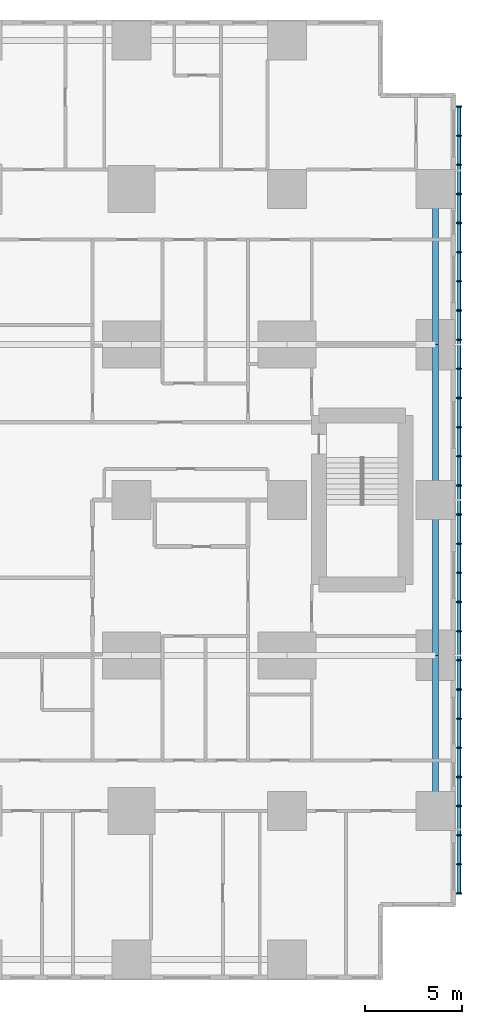
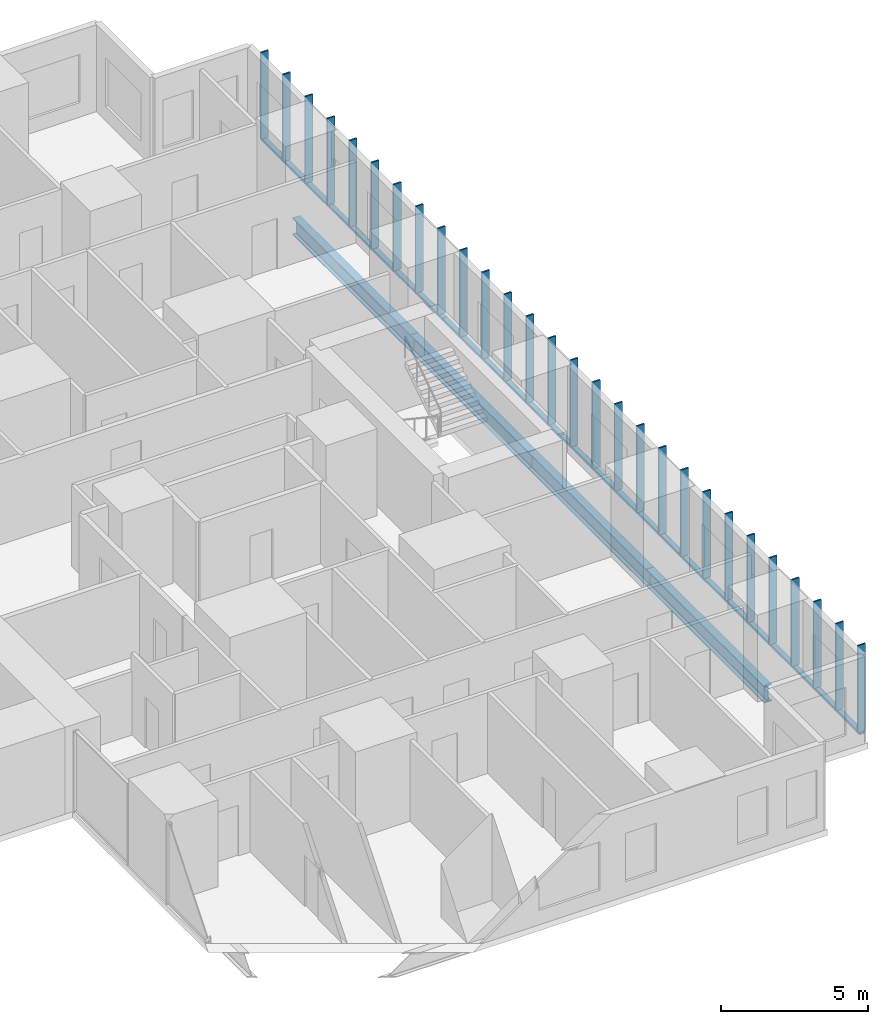
# One storey, part 6 of 20: 32 members, 4 beams.
"""IFC4 building model written with IfcOpenShell, lengths in metres."""

import ifcopenshell
import ifcopenshell.guid

model = None  # the IFC model being written
_history = None  # IfcOwnerHistory: only IFC2X3 demands one
_inside = {}  # id of a spatial element -> (the spatial element, [elements in it])
_under = {}  # id of a project, library or spatial element -> (it, [spatial elements below it])
_declared = {}  # id of a project -> (the project, [libraries it declares])
_typed = {}  # id of a type object -> (the type object, [elements of that type])
_made_of = {}  # id of a material, layer set ... -> (it, [elements and type objects made of it])


def new_model(schema):
    """Start an empty IFC model of exactly this schema.

    Asked for "IFC4X3", IfcOpenShell would pick the latest addendum, in which some entities
    have other attributes; the version numbers below select the first issue.
    IFC2X3 requires an IfcOwnerHistory on every rooted entity: one is made here for all.
    """
    global model, _history
    if schema == "IFC4X3":
        model = ifcopenshell.file(schema_version=(4, 3, 0, 0))
    else:
        model = ifcopenshell.file(schema=schema)
    _inside.clear()
    _under.clear()
    _declared.clear()
    _typed.clear()
    _made_of.clear()
    _history = None
    if model.schema == "IFC2X3":
        org = make("IfcOrganization", Name="unknown")
        user = make(
            "IfcPersonAndOrganization",
            ThePerson=make("IfcPerson", FamilyName="unknown"),
            TheOrganization=org,
        )
        app = make(
            "IfcApplication",
            ApplicationDeveloper=org,
            Version="unknown",
            ApplicationFullName="unknown",
            ApplicationIdentifier="unknown",
        )
        _history = make(
            "IfcOwnerHistory",
            OwningUser=user,
            OwningApplication=app,
            ChangeAction="ADDED",
            CreationDate=0,
        )
    return model


def make(cls, **values):
    """One entity of the class cls with the attributes given. An attribute that is None is left unset."""
    return model.create_entity(
        cls, **{name: value for name, value in values.items() if value is not None}
    )


def rooted(cls, **values):
    """An entity with a GlobalId (a new one), such as an element, a storey or a relation."""
    return make(cls, GlobalId=ifcopenshell.guid.new(), OwnerHistory=_history, **values)


def si_unit(unit_type, name, prefix=None):
    """IfcSIUnit, for example si_unit("LENGTHUNIT", "METRE", prefix="MILLI")."""
    return make("IfcSIUnit", UnitType=unit_type, Prefix=prefix, Name=name)


def assignment(units):
    """IfcUnitAssignment: the units of a project."""
    return None if units is None else make("IfcUnitAssignment", Units=units)


def point(xyz):
    """IfcCartesianPoint."""
    return None if xyz is None else make("IfcCartesianPoint", Coordinates=xyz)


def direction(xyz):
    """IfcDirection."""
    return None if xyz is None else make("IfcDirection", DirectionRatios=xyz)


def frame(location, z_axis=None, x_axis=None):
    """IfcAxis2Placement3D, a coordinate frame: its origin and axes. An axis left out is left unset."""
    return make(
        "IfcAxis2Placement3D",
        Location=point(location),
        Axis=direction(z_axis),
        RefDirection=direction(x_axis),
    )


def frame_2d(location, x_axis=None):
    """IfcAxis2Placement2D, a coordinate frame in the plane: its origin and x axis."""
    return make(
        "IfcAxis2Placement2D", Location=point(location), RefDirection=direction(x_axis)
    )


def origin():
    """The frame at (0, 0, 0) with its axes left unset."""
    return frame((0.0, 0.0, 0.0))


def origin_2d():
    """The frame at (0, 0) in the plane with its x axis left unset."""
    return frame_2d((0.0, 0.0))


def place(relative_to, where):
    """IfcLocalPlacement: puts the frame where relative to a parent placement (None: the world)."""
    return make(
        "IfcLocalPlacement", PlacementRelTo=relative_to, RelativePlacement=where
    )


def context(
    kind, dimensions, precision=None, world=None, true_north=None, identifier=None
):
    """IfcGeometricRepresentationContext, for example the 3D "Model" context."""
    return make(
        "IfcGeometricRepresentationContext",
        ContextIdentifier=identifier,
        ContextType=kind,
        CoordinateSpaceDimension=dimensions,
        Precision=precision,
        WorldCoordinateSystem=world,
        TrueNorth=true_north,
    )


def subcontext(parent, identifier, kind, view, scale=None):
    """IfcGeometricRepresentationSubContext, for example "Body" below "Model"."""
    return make(
        "IfcGeometricRepresentationSubContext",
        ContextIdentifier=identifier,
        ContextType=kind,
        ParentContext=parent,
        TargetScale=scale,
        TargetView=view,
    )


def project(units=None, contexts=None):
    """IfcProject with its units and contexts."""
    return rooted(
        "IfcProject",
        Name="project",
        RepresentationContexts=contexts,
        UnitsInContext=assignment(units),
    )


def spatial(cls, under=None, at=None, **own):
    """A site, building, storey or space (cls), placed at a placement, below another one or the project."""
    s = rooted(cls, ObjectPlacement=at, **own)
    if under is not None:
        _under.setdefault(under.id(), (under, []))[1].append(s)
    return s


def profile(cls, at=None, kind="AREA", **sizes):
    """A parametric profile (cls). Its sizes go by their IFC names, for example OverallWidth=200.0."""
    return make(cls, ProfileType=kind, Position=at, **sizes)


def rectangle(**sizes):
    """IfcRectangleProfileDef."""
    return profile("IfcRectangleProfileDef", **sizes)


def hollow_rectangle(**sizes):
    """IfcRectangleHollowProfileDef."""
    return profile("IfcRectangleHollowProfileDef", **sizes)


def i_section(**sizes):
    """IfcIShapeProfileDef."""
    return profile("IfcIShapeProfileDef", **sizes)


def extrude(swept, where, along, depth):
    """IfcExtrudedAreaSolid: the profile swept, set in the frame where, extruded along a direction by depth."""
    return make(
        "IfcExtrudedAreaSolid",
        SweptArea=swept,
        Position=where,
        ExtrudedDirection=direction(along),
        Depth=depth,
    )


def shape(context_of_items, identifier, shape_type, items):
    """IfcShapeRepresentation: the items that make up one representation, for example the "Body"."""
    return make(
        "IfcShapeRepresentation",
        ContextOfItems=context_of_items,
        RepresentationIdentifier=identifier,
        RepresentationType=shape_type,
        Items=items,
    )


def material(Name=None, Category=None):
    """IfcMaterial."""
    return make("IfcMaterial", Name=Name, Category=Category)


def material_profile(
    of_material, cross_section, Name=None, Category=None, Priority=None
):
    """IfcMaterialProfile: a cross section and its material."""
    return make(
        "IfcMaterialProfile",
        Name=Name,
        Material=of_material,
        Profile=cross_section,
        Priority=Priority,
        Category=Category,
    )


def profile_set(profiles, Name=None, composite=None):
    """IfcMaterialProfileSet."""
    return make(
        "IfcMaterialProfileSet",
        Name=Name,
        MaterialProfiles=profiles,
        CompositeProfile=composite,
    )


def made_of(thing, what):
    """Note that an element or type object is made of a material, layer set ...; save() writes the relation."""
    if what is not None:
        _made_of.setdefault(what.id(), (what, []))[1].append(thing)
    return thing


def type_object(cls, material=None, **own):
    """A type object (cls), such as IfcWallType, which elements share."""
    return made_of(rooted(cls, **own), material)


def element(
    cls,
    number,
    at=None,
    inside=None,
    cuts=None,
    type_object=None,
    material=None,
    context=None,
    identifier="Body",
    shape_type=None,
    held_by="IfcProductDefinitionShape",
    body=None,
    shapes=None,
    **own,
):
    """One element of the class cls, such as IfcWall. Its Tag is "e" and its number.

    at: its placement. inside: the storey or other place that contains it. cuts: it is an
    opening in that element (IfcRelVoidsElement). A single representation is given by context,
    identifier, shape_type and body (its items); several are given by shapes. held_by: the class
    of the entity that holds the representations. save() writes the other relations.
    """
    e = rooted(cls, Tag="e%d" % number, ObjectPlacement=at, **own)
    if body is not None:
        shapes = [shape(context, identifier, shape_type, body)]
    if shapes is not None:
        e.Representation = make(held_by, Representations=shapes)
    if inside is not None:
        _inside.setdefault(inside.id(), (inside, []))[1].append(e)
    if cuts is not None:
        rooted(
            "IfcRelVoidsElement", RelatingBuildingElement=cuts, RelatedOpeningElement=e
        )
    if type_object is not None:
        _typed.setdefault(type_object.id(), (type_object, []))[1].append(e)
    return made_of(e, material)


def aggregate(whole, parts):
    """IfcRelAggregates: a whole, such as a stair, and the parts it consists of."""
    return rooted("IfcRelAggregates", RelatingObject=whole, RelatedObjects=parts)


def save(model, path):
    """Write the relations noted so far, then the file.

    IfcRelAggregates (storeys below a building ...), IfcRelContainedInSpatialStructure (elements
    in a storey), IfcRelDefinesByType, IfcRelAssociatesMaterial and IfcRelDeclares: one each for
    every whole, place, type object, material and project.
    """
    for whole, parts in _under.values():
        aggregate(whole, parts)
    for where, things in _inside.values():
        rooted(
            "IfcRelContainedInSpatialStructure",
            RelatedElements=things,
            RelatingStructure=where,
        )
    for kind, things in _typed.values():
        rooted("IfcRelDefinesByType", RelatedObjects=things, RelatingType=kind)
    for what, things in _made_of.values():
        rooted("IfcRelAssociatesMaterial", RelatedObjects=things, RelatingMaterial=what)
    for by, libraries in _declared.values():
        rooted("IfcRelDeclares", RelatingContext=by, RelatedDefinitions=libraries)
    model.write(path)


model = new_model("IFC4")

# Units and contexts
model_context = context("Model", 3, precision=1e-05, world=origin(), true_north=direction((0.0, 1.0)))
body_context = subcontext(model_context, "Body", "Model", "MODEL_VIEW")
ifc_project = project(units=[si_unit("LENGTHUNIT", "METRE"), si_unit("AREAUNIT", "SQUARE_METRE"), si_unit("VOLUMEUNIT", "CUBIC_METRE"), si_unit("PLANEANGLEUNIT", "RADIAN"), si_unit("MASSUNIT", "GRAM", prefix="KILO")], contexts=[model_context])

# Site, building, storey
site_placement = place(None, origin())
site = spatial("IfcSite", under=ifc_project, at=site_placement, CompositionType="ELEMENT")
building_placement = place(site_placement, origin())
building = spatial("IfcBuilding", under=site, at=building_placement, Name="Cleftline Residences", CompositionType="ELEMENT")
storey_placement = place(building_placement, frame((0.0, 0.0, 80.0)))
storey = spatial("IfcBuildingStorey", under=building, at=storey_placement, Name="L20", CompositionType="ELEMENT", Elevation=80.0)

# Members
ifc_material_1 = material(Name="Steel S355, hot-dip galvanised", Category="steel")
ifc_material_profile_1 = material_profile(ifc_material_1, hollow_rectangle(XDim=0.10009765625, YDim=0.199951171875, WallThickness=0.008056640625, InnerFilletRadius=0.008056640625, OuterFilletRadius=0.011962890625, at=origin_2d()))
ifc_profile_set_1 = profile_set([ifc_material_profile_1], Name="Steel S355, hot-dip galvanised")
member_type_1 = type_object("IfcMemberType", Name="BAGUETTE CARRIER RHS 200X100X8", PredefinedType="USERDEFINED", material=ifc_profile_set_1)
member_1_placement = place(storey_placement, frame((66.85009765625, 3.699951171875, -0.050048828125), z_axis=(0.0, 1.0, 0.0), x_axis=(0.0, 0.0, 1.0)))
element("IfcMember", 1, at=member_1_placement, inside=storey, type_object=member_type_1, Name="Baguette carrier", ObjectType="BAGUETTE CARRIER", PredefinedType="USERDEFINED", context=body_context, shape_type="SweptSolid", body=[
    extrude(hollow_rectangle(XDim=0.10009765625, YDim=0.199951171875, WallThickness=0.008056640625, InnerFilletRadius=0.008056640625, OuterFilletRadius=0.011962890625, at=origin_2d()), origin(), (0.0, 0.0, 1.0), 12.300048828125),
])
for number, where, z_axis, x_axis, name in (
    (2, (66.85009765625, 16.0, -0.050048828125), (0.0, 1.0, 0.0), (0.0, 0.0, 1.0), "Baguette carrier"),
    (3, (66.85009765625, 24.0, -0.050048828125), (0.0, 1.0, 0.0), (0.0, 0.0, 1.0), "Baguette carrier"),
):
    element("IfcMember", number, at=place(storey_placement, frame(where, z_axis=z_axis, x_axis=x_axis)), inside=storey, type_object=member_type_1, Name=name, ObjectType="BAGUETTE CARRIER", PredefinedType="USERDEFINED", context=body_context, shape_type="SweptSolid", body=[
        extrude(hollow_rectangle(XDim=0.10009765625, YDim=0.199951171875, WallThickness=0.008056640625, InnerFilletRadius=0.008056640625, OuterFilletRadius=0.011962890625, at=origin_2d()), origin(), (0.0, 0.0, 1.0), 8.0),
    ])
member_2_placement = place(storey_placement, frame((66.85009765625, 32.0, -0.050048828125), z_axis=(0.0, 1.0, 0.0), x_axis=(0.0, 0.0, 1.0)))
element("IfcMember", 4, at=member_2_placement, inside=storey, type_object=member_type_1, Name="Baguette carrier", ObjectType="BAGUETTE CARRIER", PredefinedType="USERDEFINED", context=body_context, shape_type="SweptSolid", body=[
    extrude(hollow_rectangle(XDim=0.10009765625, YDim=0.199951171875, WallThickness=0.008056640625, InnerFilletRadius=0.008056640625, OuterFilletRadius=0.011962890625, at=origin_2d()), origin(), (0.0, 0.0, 1.0), 12.300048828125),
])

# Beams
ifc_material_2 = material(Name="Steel S355", Category="steel")
ifc_material_profile_2 = material_profile(ifc_material_2, i_section(OverallWidth=0.300048828125, OverallDepth=0.699951171875, WebThickness=0.01708984375, FlangeThickness=0.031982421875, FilletRadius=0.027099609375, at=origin_2d()))
ifc_profile_set_2 = profile_set([ifc_material_profile_2], Name="Steel S355")
beam_type = type_object("IfcBeamType", Name="BEAM HEB 700", PredefinedType="BEAM", material=ifc_profile_set_2)
for number, where, z_axis, x_axis, name in (
    (5, (65.64990234375, 8.0, -0.60009765625), (0.0, 1.0, 0.0), (-1.0, 0.0, 0.0), "Edge beam"),
    (6, (65.64990234375, 16.0, -0.60009765625), (0.0, 1.0, 0.0), (-1.0, 0.0, 0.0), "Edge beam"),
    (7, (65.64990234375, 24.0, -0.60009765625), (0.0, 1.0, 0.0), (-1.0, 0.0, 0.0), "Edge beam"),
    (8, (65.64990234375, 32.0, -0.60009765625), (0.0, 1.0, 0.0), (-1.0, 0.0, 0.0), "Edge beam"),
):
    element("IfcBeam", number, at=place(storey_placement, frame(where, z_axis=z_axis, x_axis=x_axis)), inside=storey, type_object=beam_type, Name=name, PredefinedType="BEAM", context=body_context, shape_type="SweptSolid", body=[
        extrude(i_section(OverallWidth=0.300048828125, OverallDepth=0.699951171875, WebThickness=0.01708984375, FlangeThickness=0.031982421875, FilletRadius=0.027099609375, at=origin_2d()), origin(), (0.0, 0.0, 1.0), 8.0),
    ])

# Members
ifc_material_3 = material(Name="Extruded terracotta", Category="masonry")
ifc_material_profile_3 = material_profile(ifc_material_3, rectangle(XDim=0.06005859375, YDim=0.300048828125, at=origin_2d()))
ifc_profile_set_3 = profile_set([ifc_material_profile_3], Name="Extruded terracotta")
member_type_2 = type_object("IfcMemberType", Name="TERRACOTTA BAGUETTE 60X300", PredefinedType="USERDEFINED", material=ifc_profile_set_3)
for number, where, z_axis, x_axis, name in (
    (9, (66.85009765625, 3.75, 0.0), (0.0, 0.0, 1.0), (0.0, 1.0, 0.0), "Terracotta baguette"),
    (10, (66.85009765625, 5.25, 0.0), (0.0, 0.0, 1.0), (0.0, 1.0, 0.0), "Terracotta baguette"),
    (11, (66.85009765625, 6.75, 0.0), (0.0, 0.0, 1.0), (0.0, 1.0, 0.0), "Terracotta baguette"),
    (12, (66.85009765625, 8.25, 0.0), (0.0, 0.0, 1.0), (0.0, 1.0, 0.0), "Terracotta baguette"),
    (13, (66.85009765625, 9.75, 0.0), (0.0, 0.0, 1.0), (0.0, 1.0, 0.0), "Terracotta baguette"),
    (14, (66.85009765625, 11.25, 0.0), (0.0, 0.0, 1.0), (0.0, 1.0, 0.0), "Terracotta baguette"),
    (15, (66.85009765625, 12.75, 0.0), (0.0, 0.0, 1.0), (0.0, 1.0, 0.0), "Terracotta baguette"),
    (16, (66.85009765625, 14.25, 0.0), (0.0, 0.0, 1.0), (0.0, 1.0, 0.0), "Terracotta baguette"),
    (17, (66.85009765625, 15.75, 0.0), (0.0, 0.0, 1.0), (0.0, 1.0, 0.0), "Terracotta baguette"),
    (18, (66.85009765625, 17.25, 0.0), (0.0, 0.0, 1.0), (0.0, 1.0, 0.0), "Terracotta baguette"),
    (19, (66.85009765625, 18.75, 0.0), (0.0, 0.0, 1.0), (0.0, 1.0, 0.0), "Terracotta baguette"),
    (20, (66.85009765625, 20.25, 0.0), (0.0, 0.0, 1.0), (0.0, 1.0, 0.0), "Terracotta baguette"),
    (21, (66.85009765625, 21.75, 0.0), (0.0, 0.0, 1.0), (0.0, 1.0, 0.0), "Terracotta baguette"),
    (22, (66.85009765625, 23.25, 0.0), (0.0, 0.0, 1.0), (0.0, 1.0, 0.0), "Terracotta baguette"),
    (23, (66.85009765625, 24.75, 0.0), (0.0, 0.0, 1.0), (0.0, 1.0, 0.0), "Terracotta baguette"),
    (24, (66.85009765625, 26.25, 0.0), (0.0, 0.0, 1.0), (0.0, 1.0, 0.0), "Terracotta baguette"),
    (25, (66.85009765625, 27.75, 0.0), (0.0, 0.0, 1.0), (0.0, 1.0, 0.0), "Terracotta baguette"),
    (26, (66.85009765625, 29.25, 0.0), (0.0, 0.0, 1.0), (0.0, 1.0, 0.0), "Terracotta baguette"),
    (27, (66.85009765625, 30.75, 0.0), (0.0, 0.0, 1.0), (0.0, 1.0, 0.0), "Terracotta baguette"),
    (28, (66.85009765625, 32.25, 0.0), (0.0, 0.0, 1.0), (0.0, 1.0, 0.0), "Terracotta baguette"),
    (29, (66.85009765625, 33.75, 0.0), (0.0, 0.0, 1.0), (0.0, 1.0, 0.0), "Terracotta baguette"),
    (30, (66.85009765625, 35.25, 0.0), (0.0, 0.0, 1.0), (0.0, 1.0, 0.0), "Terracotta baguette"),
    (31, (66.85009765625, 36.75, 0.0), (0.0, 0.0, 1.0), (0.0, 1.0, 0.0), "Terracotta baguette"),
    (32, (66.85009765625, 38.25, 0.0), (0.0, 0.0, 1.0), (0.0, 1.0, 0.0), "Terracotta baguette"),
    (33, (66.85009765625, 39.75, 0.0), (0.0, 0.0, 1.0), (0.0, 1.0, 0.0), "Terracotta baguette"),
    (34, (66.85009765625, 41.25, 0.0), (0.0, 0.0, 1.0), (0.0, 1.0, 0.0), "Terracotta baguette"),
    (35, (66.85009765625, 42.75, 0.0), (0.0, 0.0, 1.0), (0.0, 1.0, 0.0), "Terracotta baguette"),
    (36, (66.85009765625, 44.25, 0.0), (0.0, 0.0, 1.0), (0.0, 1.0, 0.0), "Terracotta baguette"),
):
    element("IfcMember", number, at=place(storey_placement, frame(where, z_axis=z_axis, x_axis=x_axis)), inside=storey, type_object=member_type_2, Name=name, ObjectType="BAGUETTE", PredefinedType="USERDEFINED", context=body_context, shape_type="SweptSolid", body=[
        extrude(rectangle(XDim=0.06005859375, YDim=0.300048828125, at=origin_2d()), origin(), (0.0, 0.0, 1.0), 3.60009765625),
    ])

save(model, "model.ifc")
